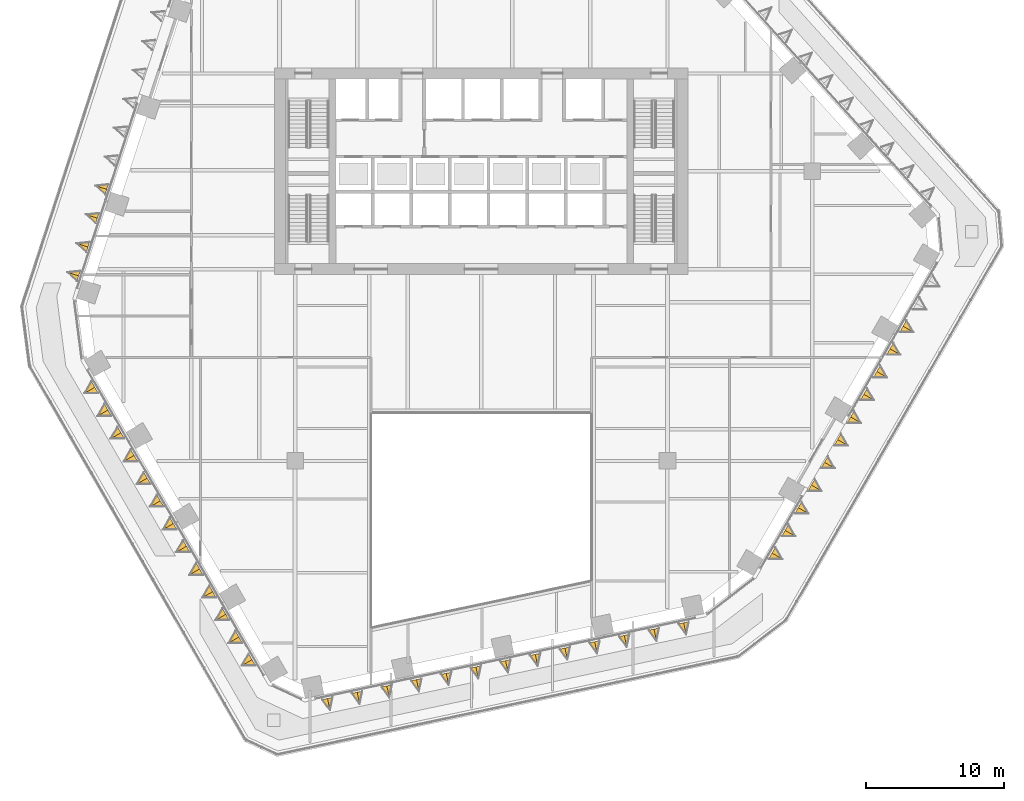
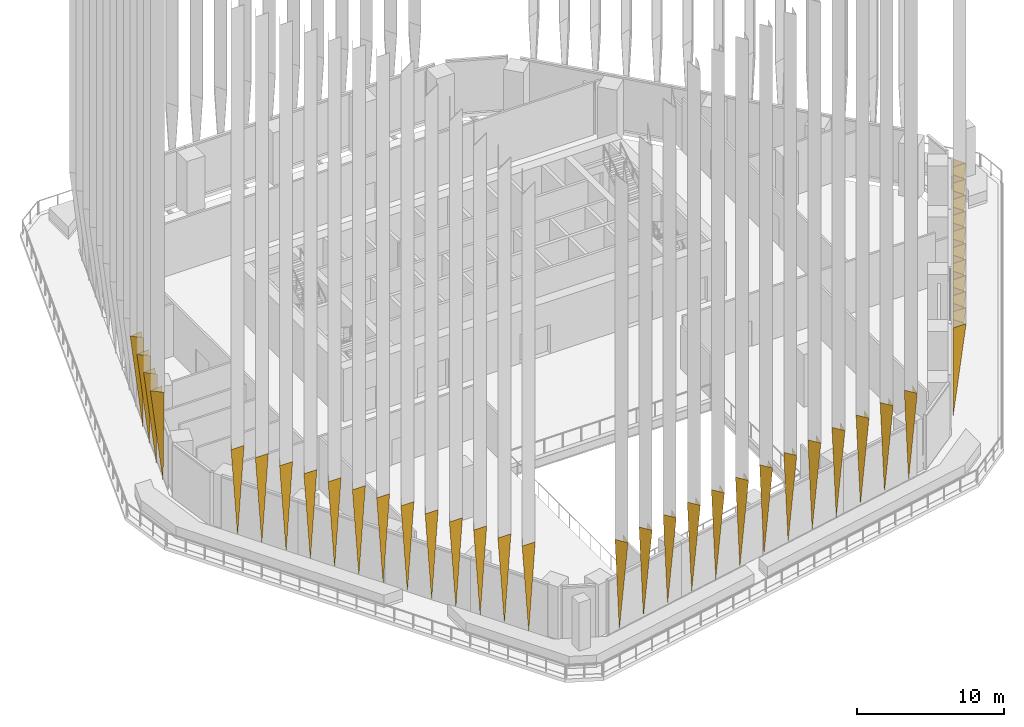
# One storey, part 24 of 27: 41 coverings.
"""IFC4 building model written with IfcOpenShell, lengths in metres."""

from ifc_helpers import new_model, si_unit, direction, frame, origin, place, context, subcontext, project, spatial, polyline, outline, faceted_brep, material, material_profile, profile_set, type_object, element, save


model = new_model("IFC4")

# Units and contexts
model_context = context("Model", 3, precision=1e-05, world=origin(), true_north=direction((0.0, 1.0)))
body_context = subcontext(model_context, "Body", "Model", "MODEL_VIEW")
ifc_project = project(units=[si_unit("LENGTHUNIT", "METRE"), si_unit("AREAUNIT", "SQUARE_METRE"), si_unit("VOLUMEUNIT", "CUBIC_METRE"), si_unit("PLANEANGLEUNIT", "RADIAN"), si_unit("MASSUNIT", "GRAM", prefix="KILO")], contexts=[model_context])

# Site, building, storey
site_placement = place(None, origin())
site = spatial("IfcSite", under=ifc_project, at=site_placement, CompositionType="ELEMENT")
building_placement = place(site_placement, origin())
building = spatial("IfcBuilding", under=site, at=building_placement, Name="Isthmus Gate Tower", CompositionType="ELEMENT")
storey_placement = place(building_placement, frame((0.0, 0.0, 121.64990234375)))
storey = spatial("IfcBuildingStorey", under=building, at=storey_placement, Name="L29", CompositionType="ELEMENT", Elevation=121.64990234375)

# Coverings
ifc_material_1 = material(Name="Structural steel ASTM A572 Gr 50, white paint system", Category="steel")
ifc_material_profile_1 = material_profile(ifc_material_1, outline(polyline([(0.0, -0.391845703125), (0.8798828125, 0.0), (0.0, 0.391845703125), (0.0, 0.35888671875), (0.80615234375, 0.0), (0.0, -0.35888671875), (0.0, -0.391845703125)])), Name="V880")
ifc_profile_set_1 = profile_set([ifc_material_profile_1], Name="Structural steel ASTM A572 Gr 50, white paint system")
covering_type_1 = type_object("IfcCoveringType", Name="FIN V 880 DEEP FOOT", PredefinedType="CLADDING", material=ifc_profile_set_1)
covering_1_placement = place(storey_placement, frame((0.0, 0.0, -121.64990234375)))
element("IfcCovering", 1, at=covering_1_placement, inside=storey, type_object=covering_type_1, Name="FIN", ObjectType="FIN", PredefinedType="CLADDING", context=body_context, shape_type="Brep", body=[
    faceted_brep([(-27.033935546875, 6.560546875, 129.39990234375), (-27.991943359375, 6.4599609375, 129.39990234375), (-27.276123046875, 5.8154296875, 129.39990234375), (-27.265869140625, 5.8466796875, 129.39990234375), (-27.921875, 6.43701171875, 129.39990234375), (-27.044189453125, 6.529296875, 129.39990234375), (-27.155029296875, 6.18798828125, 121.75)], [[[0, 1, 2, 3, 4, 5]], [[1, 0, 6]], [[2, 1, 6]], [[3, 2, 6]], [[4, 3, 6]], [[5, 4, 6]], [[0, 5, 6]]]),
])
covering_2_placement = place(storey_placement, frame((0.0, 0.0, -121.64990234375)))
element("IfcCovering", 2, at=covering_2_placement, inside=storey, type_object=covering_type_1, Name="FIN", ObjectType="FIN", PredefinedType="CLADDING", context=body_context, shape_type="Brep", body=[
    faceted_brep([(-27.713623046875, 4.46826171875, 129.39990234375), (-28.671630859375, 4.36767578125, 129.39990234375), (-27.955810546875, 3.72314453125, 129.39990234375), (-27.945556640625, 3.75439453125, 129.39990234375), (-28.6015625, 4.3447265625, 129.39990234375), (-27.723876953125, 4.43701171875, 129.39990234375), (-27.834716796875, 4.095703125, 121.75)], [[[0, 1, 2, 3, 4, 5]], [[1, 0, 6]], [[2, 1, 6]], [[3, 2, 6]], [[4, 3, 6]], [[5, 4, 6]], [[0, 5, 6]]]),
])
covering_3_placement = place(storey_placement, frame((0.0, 0.0, -121.64990234375)))
element("IfcCovering", 3, at=covering_3_placement, inside=storey, type_object=covering_type_1, Name="FIN", ObjectType="FIN", PredefinedType="CLADDING", context=body_context, shape_type="Brep", body=[
    faceted_brep([(-28.3935546875, 2.3759765625, 129.39990234375), (-29.3515625, 2.275390625, 129.39990234375), (-28.6357421875, 1.630859375, 129.39990234375), (-28.62548828125, 1.662109375, 129.39990234375), (-29.281494140625, 2.25244140625, 129.39990234375), (-28.40380859375, 2.3447265625, 129.39990234375), (-28.5146484375, 2.00341796875, 121.75)], [[[0, 1, 2, 3, 4, 5]], [[1, 0, 6]], [[2, 1, 6]], [[3, 2, 6]], [[4, 3, 6]], [[5, 4, 6]], [[0, 5, 6]]]),
])
covering_4_placement = place(storey_placement, frame((0.0, 0.0, -121.64990234375)))
element("IfcCovering", 4, at=covering_4_placement, inside=storey, type_object=covering_type_1, Name="FIN", ObjectType="FIN", PredefinedType="CLADDING", context=body_context, shape_type="Brep", body=[
    faceted_brep([(-29.073486328125, 0.28369140625, 129.39990234375), (-30.031494140625, 0.18310546875, 129.39990234375), (-29.315673828125, -0.46142578125, 129.39990234375), (-29.305419921875, -0.43017578125, 129.39990234375), (-29.96142578125, 0.16015625, 129.39990234375), (-29.083740234375, 0.25244140625, 129.39990234375), (-29.194580078125, -0.0888671875, 121.75)], [[[0, 1, 2, 3, 4, 5]], [[1, 0, 6]], [[2, 1, 6]], [[3, 2, 6]], [[4, 3, 6]], [[5, 4, 6]], [[0, 5, 6]]]),
])
covering_5_placement = place(storey_placement, frame((0.0, 0.0, -121.64990234375)))
element("IfcCovering", 5, at=covering_5_placement, inside=storey, type_object=covering_type_1, Name="FIN", ObjectType="FIN", PredefinedType="CLADDING", context=body_context, shape_type="Brep", body=[
    faceted_brep([(-11.531982421875, -30.80908203125, 129.39990234375), (-10.9658203125, -31.58837890625, 129.39990234375), (-10.765380859375, -30.64599609375, 129.39990234375), (-10.797607421875, -30.65283203125, 129.39990234375), (-10.98095703125, -31.51611328125, 129.39990234375), (-11.499755859375, -30.80224609375, 129.39990234375), (-11.148681640625, -30.7275390625, 121.75)], [[[0, 1, 2, 3, 4, 5]], [[1, 0, 6]], [[2, 1, 6]], [[3, 2, 6]], [[4, 3, 6]], [[5, 4, 6]], [[0, 5, 6]]]),
])
covering_6_placement = place(storey_placement, frame((0.0, 0.0, -121.64990234375)))
element("IfcCovering", 6, at=covering_6_placement, inside=storey, type_object=covering_type_1, Name="FIN", ObjectType="FIN", PredefinedType="CLADDING", context=body_context, shape_type="Brep", body=[
    faceted_brep([(-9.380126953125, -30.351806640625, 129.39990234375), (-8.81396484375, -31.131103515625, 129.39990234375), (-8.613525390625, -30.188720703125, 129.39990234375), (-8.645751953125, -30.195556640625, 129.39990234375), (-8.8291015625, -31.058837890625, 129.39990234375), (-9.347900390625, -30.344970703125, 129.39990234375), (-8.996826171875, -30.270263671875, 121.75)], [[[0, 1, 2, 3, 4, 5]], [[1, 0, 6]], [[2, 1, 6]], [[3, 2, 6]], [[4, 3, 6]], [[5, 4, 6]], [[0, 5, 6]]]),
])
covering_7_placement = place(storey_placement, frame((0.0, 0.0, -121.64990234375)))
element("IfcCovering", 7, at=covering_7_placement, inside=storey, type_object=covering_type_1, Name="FIN", ObjectType="FIN", PredefinedType="CLADDING", context=body_context, shape_type="Brep", body=[
    faceted_brep([(-7.228271484375, -29.894287109375, 129.39990234375), (-6.662109375, -30.673583984375, 129.39990234375), (-6.461669921875, -29.731201171875, 129.39990234375), (-6.493896484375, -29.738037109375, 129.39990234375), (-6.67724609375, -30.601318359375, 129.39990234375), (-7.196044921875, -29.887451171875, 129.39990234375), (-6.844970703125, -29.812744140625, 121.75)], [[[0, 1, 2, 3, 4, 5]], [[1, 0, 6]], [[2, 1, 6]], [[3, 2, 6]], [[4, 3, 6]], [[5, 4, 6]], [[0, 5, 6]]]),
])
covering_8_placement = place(storey_placement, frame((0.0, 0.0, -121.64990234375)))
element("IfcCovering", 8, at=covering_8_placement, inside=storey, type_object=covering_type_1, Name="FIN", ObjectType="FIN", PredefinedType="CLADDING", context=body_context, shape_type="Brep", body=[
    faceted_brep([(-5.076416015625, -29.43701171875, 129.39990234375), (-4.51025390625, -30.21630859375, 129.39990234375), (-4.309814453125, -29.27392578125, 129.39990234375), (-4.342041015625, -29.28076171875, 129.39990234375), (-4.525390625, -30.14404296875, 129.39990234375), (-5.044189453125, -29.43017578125, 129.39990234375), (-4.693115234375, -29.35546875, 121.75)], [[[0, 1, 2, 3, 4, 5]], [[1, 0, 6]], [[2, 1, 6]], [[3, 2, 6]], [[4, 3, 6]], [[5, 4, 6]], [[0, 5, 6]]]),
])
covering_9_placement = place(storey_placement, frame((0.0, 0.0, -121.64990234375)))
element("IfcCovering", 9, at=covering_9_placement, inside=storey, type_object=covering_type_1, Name="FIN", ObjectType="FIN", PredefinedType="CLADDING", context=body_context, shape_type="Brep", body=[
    faceted_brep([(-2.92431640625, -28.9794921875, 129.39990234375), (-2.358154296875, -29.7587890625, 129.39990234375), (-2.15771484375, -28.81640625, 129.39990234375), (-2.18994140625, -28.8232421875, 129.39990234375), (-2.373291015625, -29.6865234375, 129.39990234375), (-2.89208984375, -28.97265625, 129.39990234375), (-2.541015625, -28.89794921875, 121.75)], [[[0, 1, 2, 3, 4, 5]], [[1, 0, 6]], [[2, 1, 6]], [[3, 2, 6]], [[4, 3, 6]], [[5, 4, 6]], [[0, 5, 6]]]),
])
covering_10_placement = place(storey_placement, frame((0.0, 0.0, -121.64990234375)))
element("IfcCovering", 10, at=covering_10_placement, inside=storey, type_object=covering_type_1, Name="FIN", ObjectType="FIN", PredefinedType="CLADDING", context=body_context, shape_type="Brep", body=[
    faceted_brep([(-0.7724609375, -28.52197265625, 129.39990234375), (-0.206298828125, -29.30126953125, 129.39990234375), (-0.005859375, -28.35888671875, 129.39990234375), (-0.0380859375, -28.36572265625, 129.39990234375), (-0.221435546875, -29.22900390625, 129.39990234375), (-0.740234375, -28.51513671875, 129.39990234375), (-0.38916015625, -28.4404296875, 121.75)], [[[0, 1, 2, 3, 4, 5]], [[1, 0, 6]], [[2, 1, 6]], [[3, 2, 6]], [[4, 3, 6]], [[5, 4, 6]], [[0, 5, 6]]]),
])
covering_11_placement = place(storey_placement, frame((0.0, 0.0, -121.64990234375)))
element("IfcCovering", 11, at=covering_11_placement, inside=storey, type_object=covering_type_1, Name="FIN", ObjectType="FIN", PredefinedType="CLADDING", context=body_context, shape_type="Brep", body=[
    faceted_brep([(1.37939453125, -28.064697265625, 129.39990234375), (1.945556640625, -28.843994140625, 129.39990234375), (2.14599609375, -27.901611328125, 129.39990234375), (2.11376953125, -27.908447265625, 129.39990234375), (1.930419921875, -28.771728515625, 129.39990234375), (1.41162109375, -28.057861328125, 129.39990234375), (1.7626953125, -27.983154296875, 121.75)], [[[0, 1, 2, 3, 4, 5]], [[1, 0, 6]], [[2, 1, 6]], [[3, 2, 6]], [[4, 3, 6]], [[5, 4, 6]], [[0, 5, 6]]]),
])
covering_12_placement = place(storey_placement, frame((0.0, 0.0, -121.64990234375)))
element("IfcCovering", 12, at=covering_12_placement, inside=storey, type_object=covering_type_1, Name="FIN", ObjectType="FIN", PredefinedType="CLADDING", context=body_context, shape_type="Brep", body=[
    faceted_brep([(3.531494140625, -27.607177734375, 129.39990234375), (4.09765625, -28.386474609375, 129.39990234375), (4.298095703125, -27.444091796875, 129.39990234375), (4.265869140625, -27.450927734375, 129.39990234375), (4.08251953125, -28.314208984375, 129.39990234375), (3.563720703125, -27.600341796875, 129.39990234375), (3.914794921875, -27.525634765625, 121.75)], [[[0, 1, 2, 3, 4, 5]], [[1, 0, 6]], [[2, 1, 6]], [[3, 2, 6]], [[4, 3, 6]], [[5, 4, 6]], [[0, 5, 6]]]),
])
covering_13_placement = place(storey_placement, frame((0.0, 0.0, -121.64990234375)))
element("IfcCovering", 13, at=covering_13_placement, inside=storey, type_object=covering_type_1, Name="FIN", ObjectType="FIN", PredefinedType="CLADDING", context=body_context, shape_type="Brep", body=[
    faceted_brep([(5.683349609375, -27.14990234375, 129.39990234375), (6.24951171875, -27.92919921875, 129.39990234375), (6.449951171875, -26.98681640625, 129.39990234375), (6.417724609375, -26.99365234375, 129.39990234375), (6.234375, -27.85693359375, 129.39990234375), (5.715576171875, -27.14306640625, 129.39990234375), (6.066650390625, -27.068359375, 121.75)], [[[0, 1, 2, 3, 4, 5]], [[1, 0, 6]], [[2, 1, 6]], [[3, 2, 6]], [[4, 3, 6]], [[5, 4, 6]], [[0, 5, 6]]]),
])
covering_14_placement = place(storey_placement, frame((0.0, 0.0, -121.64990234375)))
element("IfcCovering", 14, at=covering_14_placement, inside=storey, type_object=covering_type_1, Name="FIN", ObjectType="FIN", PredefinedType="CLADDING", context=body_context, shape_type="Brep", body=[
    faceted_brep([(7.835205078125, -26.6923828125, 129.39990234375), (8.4013671875, -27.4716796875, 129.39990234375), (8.601806640625, -26.529296875, 129.39990234375), (8.569580078125, -26.5361328125, 129.39990234375), (8.38623046875, -27.3994140625, 129.39990234375), (7.867431640625, -26.685546875, 129.39990234375), (8.218505859375, -26.61083984375, 121.75)], [[[0, 1, 2, 3, 4, 5]], [[1, 0, 6]], [[2, 1, 6]], [[3, 2, 6]], [[4, 3, 6]], [[5, 4, 6]], [[0, 5, 6]]]),
])
covering_15_placement = place(storey_placement, frame((0.0, 0.0, -121.64990234375)))
element("IfcCovering", 15, at=covering_15_placement, inside=storey, type_object=covering_type_1, Name="FIN", ObjectType="FIN", PredefinedType="CLADDING", context=body_context, shape_type="Brep", body=[
    faceted_brep([(9.987060546875, -26.235107421875, 129.39990234375), (10.55322265625, -27.014404296875, 129.39990234375), (10.753662109375, -26.072021484375, 129.39990234375), (10.721435546875, -26.078857421875, 129.39990234375), (10.5380859375, -26.942138671875, 129.39990234375), (10.019287109375, -26.228271484375, 129.39990234375), (10.370361328125, -26.153564453125, 121.75)], [[[0, 1, 2, 3, 4, 5]], [[1, 0, 6]], [[2, 1, 6]], [[3, 2, 6]], [[4, 3, 6]], [[5, 4, 6]], [[0, 5, 6]]]),
])
covering_16_placement = place(storey_placement, frame((0.0, 0.0, -121.64990234375)))
element("IfcCovering", 16, at=covering_16_placement, inside=storey, type_object=covering_type_1, Name="FIN", ObjectType="FIN", PredefinedType="CLADDING", context=body_context, shape_type="Brep", body=[
    faceted_brep([(12.13916015625, -25.777587890625, 129.39990234375), (12.705322265625, -26.556884765625, 129.39990234375), (12.90576171875, -25.614501953125, 129.39990234375), (12.87353515625, -25.621337890625, 129.39990234375), (12.690185546875, -26.484619140625, 129.39990234375), (12.17138671875, -25.770751953125, 129.39990234375), (12.5224609375, -25.696044921875, 121.75)], [[[0, 1, 2, 3, 4, 5]], [[1, 0, 6]], [[2, 1, 6]], [[3, 2, 6]], [[4, 3, 6]], [[5, 4, 6]], [[0, 5, 6]]]),
])
covering_17_placement = place(storey_placement, frame((0.0, 0.0, -121.64990234375)))
element("IfcCovering", 17, at=covering_17_placement, inside=storey, type_object=covering_type_1, Name="FIN", ObjectType="FIN", PredefinedType="CLADDING", context=body_context, shape_type="Brep", body=[
    faceted_brep([(14.291015625, -25.3203125, 129.39990234375), (14.857177734375, -26.099609375, 129.39990234375), (15.0576171875, -25.1572265625, 129.39990234375), (15.025390625, -25.1640625, 129.39990234375), (14.842041015625, -26.02734375, 129.39990234375), (14.3232421875, -25.3134765625, 129.39990234375), (14.67431640625, -25.23876953125, 121.75)], [[[0, 1, 2, 3, 4, 5]], [[1, 0, 6]], [[2, 1, 6]], [[3, 2, 6]], [[4, 3, 6]], [[5, 4, 6]], [[0, 5, 6]]]),
])
ifc_material_2 = material(Name="Structural steel ASTM A572 Gr 50, white paint system", Category="steel")
ifc_material_profile_2 = material_profile(ifc_material_2, outline(polyline([(0.0, -0.508056640625), (0.8798828125, 0.0), (0.0, 0.508056640625), (0.0, 0.473388671875), (0.820068359375, 0.0), (0.0, -0.473388671875), (0.0, -0.508056640625)])), Name="V880W")
ifc_profile_set_2 = profile_set([ifc_material_profile_2], Name="Structural steel ASTM A572 Gr 50, white paint system")
covering_type_2 = type_object("IfcCoveringType", Name="FIN V 880 DEEP WIDE FOOT", PredefinedType="CLADDING", material=ifc_profile_set_2)
covering_18_placement = place(storey_placement, frame((0.0, 0.0, -121.64990234375)))
element("IfcCovering", 18, at=covering_18_placement, inside=storey, type_object=covering_type_2, Name="FIN", ObjectType="FIN", PredefinedType="CLADDING", context=body_context, shape_type="Brep", body=[
    faceted_brep([(-28.275146484375, -7.726318359375, 129.39990234375), (-28.783203125, -8.606201171875, 129.39990234375), (-27.766845703125, -8.606201171875, 129.39990234375), (-27.7841796875, -8.576171875, 129.39990234375), (-28.731201171875, -8.576171875, 129.39990234375), (-28.2578125, -7.75634765625, 129.39990234375), (-28.02099609375, -8.166259765625, 121.75)], [[[0, 1, 2, 3, 4, 5]], [[1, 0, 6]], [[2, 1, 6]], [[3, 2, 6]], [[4, 3, 6]], [[5, 4, 6]], [[0, 5, 6]]]),
])
covering_19_placement = place(storey_placement, frame((0.0, 0.0, -121.64990234375)))
element("IfcCovering", 19, at=covering_19_placement, inside=storey, type_object=covering_type_2, Name="FIN", ObjectType="FIN", PredefinedType="CLADDING", context=body_context, shape_type="Brep", body=[
    faceted_brep([(-27.3251953125, -9.371826171875, 129.39990234375), (-27.833251953125, -10.251708984375, 129.39990234375), (-26.81689453125, -10.251708984375, 129.39990234375), (-26.834228515625, -10.2216796875, 129.39990234375), (-27.78125, -10.2216796875, 129.39990234375), (-27.307861328125, -9.40185546875, 129.39990234375), (-27.071044921875, -9.811767578125, 121.75)], [[[0, 1, 2, 3, 4, 5]], [[1, 0, 6]], [[2, 1, 6]], [[3, 2, 6]], [[4, 3, 6]], [[5, 4, 6]], [[0, 5, 6]]]),
])
covering_20_placement = place(storey_placement, frame((0.0, 0.0, -121.64990234375)))
element("IfcCovering", 20, at=covering_20_placement, inside=storey, type_object=covering_type_2, Name="FIN", ObjectType="FIN", PredefinedType="CLADDING", context=body_context, shape_type="Brep", body=[
    faceted_brep([(-26.375, -11.017333984375, 129.39990234375), (-26.883056640625, -11.897216796875, 129.39990234375), (-25.86669921875, -11.897216796875, 129.39990234375), (-25.884033203125, -11.8671875, 129.39990234375), (-26.8310546875, -11.8671875, 129.39990234375), (-26.357666015625, -11.04736328125, 129.39990234375), (-26.120849609375, -11.457275390625, 121.75)], [[[0, 1, 2, 3, 4, 5]], [[1, 0, 6]], [[2, 1, 6]], [[3, 2, 6]], [[4, 3, 6]], [[5, 4, 6]], [[0, 5, 6]]]),
])
covering_21_placement = place(storey_placement, frame((0.0, 0.0, -121.64990234375)))
element("IfcCovering", 21, at=covering_21_placement, inside=storey, type_object=covering_type_2, Name="FIN", ObjectType="FIN", PredefinedType="CLADDING", context=body_context, shape_type="Brep", body=[
    faceted_brep([(-25.425048828125, -12.66259765625, 129.39990234375), (-25.93310546875, -13.54248046875, 129.39990234375), (-24.916748046875, -13.54248046875, 129.39990234375), (-24.93408203125, -13.512451171875, 129.39990234375), (-25.881103515625, -13.512451171875, 129.39990234375), (-25.40771484375, -12.692626953125, 129.39990234375), (-25.1708984375, -13.1025390625, 121.75)], [[[0, 1, 2, 3, 4, 5]], [[1, 0, 6]], [[2, 1, 6]], [[3, 2, 6]], [[4, 3, 6]], [[5, 4, 6]], [[0, 5, 6]]]),
])
covering_22_placement = place(storey_placement, frame((0.0, 0.0, -121.64990234375)))
element("IfcCovering", 22, at=covering_22_placement, inside=storey, type_object=covering_type_2, Name="FIN", ObjectType="FIN", PredefinedType="CLADDING", context=body_context, shape_type="Brep", body=[
    faceted_brep([(-24.47509765625, -14.30810546875, 129.39990234375), (-24.983154296875, -15.18798828125, 129.39990234375), (-23.966796875, -15.18798828125, 129.39990234375), (-23.984130859375, -15.157958984375, 129.39990234375), (-24.93115234375, -15.157958984375, 129.39990234375), (-24.457763671875, -14.338134765625, 129.39990234375), (-24.220947265625, -14.748046875, 121.75)], [[[0, 1, 2, 3, 4, 5]], [[1, 0, 6]], [[2, 1, 6]], [[3, 2, 6]], [[4, 3, 6]], [[5, 4, 6]], [[0, 5, 6]]]),
])
covering_23_placement = place(storey_placement, frame((0.0, 0.0, -121.64990234375)))
element("IfcCovering", 23, at=covering_23_placement, inside=storey, type_object=covering_type_2, Name="FIN", ObjectType="FIN", PredefinedType="CLADDING", context=body_context, shape_type="Brep", body=[
    faceted_brep([(-23.525146484375, -15.95361328125, 129.39990234375), (-24.033203125, -16.83349609375, 129.39990234375), (-23.016845703125, -16.83349609375, 129.39990234375), (-23.0341796875, -16.803466796875, 129.39990234375), (-23.981201171875, -16.803466796875, 129.39990234375), (-23.5078125, -15.983642578125, 129.39990234375), (-23.27099609375, -16.3935546875, 121.75)], [[[0, 1, 2, 3, 4, 5]], [[1, 0, 6]], [[2, 1, 6]], [[3, 2, 6]], [[4, 3, 6]], [[5, 4, 6]], [[0, 5, 6]]]),
])
covering_24_placement = place(storey_placement, frame((0.0, 0.0, -121.64990234375)))
element("IfcCovering", 24, at=covering_24_placement, inside=storey, type_object=covering_type_2, Name="FIN", ObjectType="FIN", PredefinedType="CLADDING", context=body_context, shape_type="Brep", body=[
    faceted_brep([(-22.5751953125, -17.59912109375, 129.39990234375), (-23.083251953125, -18.47900390625, 129.39990234375), (-22.06689453125, -18.47900390625, 129.39990234375), (-22.084228515625, -18.448974609375, 129.39990234375), (-23.03125, -18.448974609375, 129.39990234375), (-22.557861328125, -17.629150390625, 129.39990234375), (-22.321044921875, -18.0390625, 121.75)], [[[0, 1, 2, 3, 4, 5]], [[1, 0, 6]], [[2, 1, 6]], [[3, 2, 6]], [[4, 3, 6]], [[5, 4, 6]], [[0, 5, 6]]]),
])
covering_25_placement = place(storey_placement, frame((0.0, 0.0, -121.64990234375)))
element("IfcCovering", 25, at=covering_25_placement, inside=storey, type_object=covering_type_2, Name="FIN", ObjectType="FIN", PredefinedType="CLADDING", context=body_context, shape_type="Brep", body=[
    faceted_brep([(-21.625, -19.244384765625, 129.39990234375), (-22.133056640625, -20.124267578125, 129.39990234375), (-21.11669921875, -20.124267578125, 129.39990234375), (-21.134033203125, -20.09423828125, 129.39990234375), (-22.0810546875, -20.09423828125, 129.39990234375), (-21.607666015625, -19.2744140625, 129.39990234375), (-21.370849609375, -19.684326171875, 121.75)], [[[0, 1, 2, 3, 4, 5]], [[1, 0, 6]], [[2, 1, 6]], [[3, 2, 6]], [[4, 3, 6]], [[5, 4, 6]], [[0, 5, 6]]]),
])
covering_26_placement = place(storey_placement, frame((0.0, 0.0, -121.64990234375)))
element("IfcCovering", 26, at=covering_26_placement, inside=storey, type_object=covering_type_2, Name="FIN", ObjectType="FIN", PredefinedType="CLADDING", context=body_context, shape_type="Brep", body=[
    faceted_brep([(-20.675048828125, -20.889892578125, 129.39990234375), (-21.18310546875, -21.769775390625, 129.39990234375), (-20.166748046875, -21.769775390625, 129.39990234375), (-20.18408203125, -21.73974609375, 129.39990234375), (-21.131103515625, -21.73974609375, 129.39990234375), (-20.65771484375, -20.919921875, 129.39990234375), (-20.4208984375, -21.329833984375, 121.75)], [[[0, 1, 2, 3, 4, 5]], [[1, 0, 6]], [[2, 1, 6]], [[3, 2, 6]], [[4, 3, 6]], [[5, 4, 6]], [[0, 5, 6]]]),
])
covering_27_placement = place(storey_placement, frame((0.0, 0.0, -121.64990234375)))
element("IfcCovering", 27, at=covering_27_placement, inside=storey, type_object=covering_type_2, Name="FIN", ObjectType="FIN", PredefinedType="CLADDING", context=body_context, shape_type="Brep", body=[
    faceted_brep([(-19.72509765625, -22.535400390625, 129.39990234375), (-20.233154296875, -23.415283203125, 129.39990234375), (-19.216796875, -23.415283203125, 129.39990234375), (-19.234130859375, -23.38525390625, 129.39990234375), (-20.18115234375, -23.38525390625, 129.39990234375), (-19.707763671875, -22.5654296875, 129.39990234375), (-19.470947265625, -22.975341796875, 121.75)], [[[0, 1, 2, 3, 4, 5]], [[1, 0, 6]], [[2, 1, 6]], [[3, 2, 6]], [[4, 3, 6]], [[5, 4, 6]], [[0, 5, 6]]]),
])
covering_28_placement = place(storey_placement, frame((0.0, 0.0, -121.64990234375)))
element("IfcCovering", 28, at=covering_28_placement, inside=storey, type_object=covering_type_2, Name="FIN", ObjectType="FIN", PredefinedType="CLADDING", context=body_context, shape_type="Brep", body=[
    faceted_brep([(-18.775146484375, -24.180908203125, 129.39990234375), (-19.283203125, -25.060791015625, 129.39990234375), (-18.266845703125, -25.060791015625, 129.39990234375), (-18.2841796875, -25.03076171875, 129.39990234375), (-19.231201171875, -25.03076171875, 129.39990234375), (-18.7578125, -24.2109375, 129.39990234375), (-18.52099609375, -24.620849609375, 121.75)], [[[0, 1, 2, 3, 4, 5]], [[1, 0, 6]], [[2, 1, 6]], [[3, 2, 6]], [[4, 3, 6]], [[5, 4, 6]], [[0, 5, 6]]]),
])
covering_29_placement = place(storey_placement, frame((0.0, 0.0, -121.64990234375)))
element("IfcCovering", 29, at=covering_29_placement, inside=storey, type_object=covering_type_2, Name="FIN", ObjectType="FIN", PredefinedType="CLADDING", context=body_context, shape_type="Brep", body=[
    faceted_brep([(-17.8251953125, -25.826171875, 129.39990234375), (-18.333251953125, -26.7060546875, 129.39990234375), (-17.31689453125, -26.7060546875, 129.39990234375), (-17.334228515625, -26.676025390625, 129.39990234375), (-18.28125, -26.676025390625, 129.39990234375), (-17.807861328125, -25.856201171875, 129.39990234375), (-17.571044921875, -26.26611328125, 121.75)], [[[0, 1, 2, 3, 4, 5]], [[1, 0, 6]], [[2, 1, 6]], [[3, 2, 6]], [[4, 3, 6]], [[5, 4, 6]], [[0, 5, 6]]]),
])
covering_30_placement = place(storey_placement, frame((0.0, 0.0, -121.64990234375)))
element("IfcCovering", 30, at=covering_30_placement, inside=storey, type_object=covering_type_2, Name="FIN", ObjectType="FIN", PredefinedType="CLADDING", context=body_context, shape_type="Brep", body=[
    faceted_brep([(-16.875, -27.4716796875, 129.39990234375), (-17.383056640625, -28.3515625, 129.39990234375), (-16.36669921875, -28.3515625, 129.39990234375), (-16.384033203125, -28.321533203125, 129.39990234375), (-17.3310546875, -28.321533203125, 129.39990234375), (-16.857666015625, -27.501708984375, 129.39990234375), (-16.620849609375, -27.91162109375, 121.75)], [[[0, 1, 2, 3, 4, 5]], [[1, 0, 6]], [[2, 1, 6]], [[3, 2, 6]], [[4, 3, 6]], [[5, 4, 6]], [[0, 5, 6]]]),
])
covering_31_placement = place(storey_placement, frame((0.0, 0.0, -121.64990234375)))
element("IfcCovering", 31, at=covering_31_placement, inside=storey, type_object=covering_type_2, Name="FIN", ObjectType="FIN", PredefinedType="CLADDING", context=body_context, shape_type="Brep", body=[
    faceted_brep([(20.82861328125, -20.623779296875, 129.39990234375), (21.844970703125, -20.623779296875, 129.39990234375), (21.3369140625, -19.743896484375, 129.39990234375), (21.319580078125, -19.77392578125, 129.39990234375), (21.79296875, -20.59375, 129.39990234375), (20.845947265625, -20.59375, 129.39990234375), (21.082763671875, -20.183837890625, 121.75)], [[[0, 1, 2, 3, 4, 5]], [[1, 0, 6]], [[2, 1, 6]], [[3, 2, 6]], [[4, 3, 6]], [[5, 4, 6]], [[0, 5, 6]]]),
])
covering_32_placement = place(storey_placement, frame((0.0, 0.0, -121.64990234375)))
element("IfcCovering", 32, at=covering_32_placement, inside=storey, type_object=covering_type_2, Name="FIN", ObjectType="FIN", PredefinedType="CLADDING", context=body_context, shape_type="Brep", body=[
    faceted_brep([(21.778564453125, -18.978271484375, 129.39990234375), (22.794921875, -18.978271484375, 129.39990234375), (22.286865234375, -18.098388671875, 129.39990234375), (22.26953125, -18.12841796875, 129.39990234375), (22.742919921875, -18.9482421875, 129.39990234375), (21.7958984375, -18.9482421875, 129.39990234375), (22.03271484375, -18.538330078125, 121.75)], [[[0, 1, 2, 3, 4, 5]], [[1, 0, 6]], [[2, 1, 6]], [[3, 2, 6]], [[4, 3, 6]], [[5, 4, 6]], [[0, 5, 6]]]),
])
covering_33_placement = place(storey_placement, frame((0.0, 0.0, -121.64990234375)))
element("IfcCovering", 33, at=covering_33_placement, inside=storey, type_object=covering_type_2, Name="FIN", ObjectType="FIN", PredefinedType="CLADDING", context=body_context, shape_type="Brep", body=[
    faceted_brep([(22.728515625, -17.332763671875, 129.39990234375), (23.744873046875, -17.332763671875, 129.39990234375), (23.23681640625, -16.452880859375, 129.39990234375), (23.219482421875, -16.48291015625, 129.39990234375), (23.69287109375, -17.302734375, 129.39990234375), (22.745849609375, -17.302734375, 129.39990234375), (22.982666015625, -16.892822265625, 121.75)], [[[0, 1, 2, 3, 4, 5]], [[1, 0, 6]], [[2, 1, 6]], [[3, 2, 6]], [[4, 3, 6]], [[5, 4, 6]], [[0, 5, 6]]]),
])
covering_34_placement = place(storey_placement, frame((0.0, 0.0, -121.64990234375)))
element("IfcCovering", 34, at=covering_34_placement, inside=storey, type_object=covering_type_2, Name="FIN", ObjectType="FIN", PredefinedType="CLADDING", context=body_context, shape_type="Brep", body=[
    faceted_brep([(23.678466796875, -15.687255859375, 129.39990234375), (24.69482421875, -15.687255859375, 129.39990234375), (24.186767578125, -14.807373046875, 129.39990234375), (24.16943359375, -14.83740234375, 129.39990234375), (24.642822265625, -15.6572265625, 129.39990234375), (23.69580078125, -15.6572265625, 129.39990234375), (23.9326171875, -15.247314453125, 121.75)], [[[0, 1, 2, 3, 4, 5]], [[1, 0, 6]], [[2, 1, 6]], [[3, 2, 6]], [[4, 3, 6]], [[5, 4, 6]], [[0, 5, 6]]]),
])
covering_35_placement = place(storey_placement, frame((0.0, 0.0, -121.64990234375)))
element("IfcCovering", 35, at=covering_35_placement, inside=storey, type_object=covering_type_2, Name="FIN", ObjectType="FIN", PredefinedType="CLADDING", context=body_context, shape_type="Brep", body=[
    faceted_brep([(24.62841796875, -14.0419921875, 129.39990234375), (25.644775390625, -14.0419921875, 129.39990234375), (25.13671875, -13.162109375, 129.39990234375), (25.119384765625, -13.192138671875, 129.39990234375), (25.5927734375, -14.011962890625, 129.39990234375), (24.645751953125, -14.011962890625, 129.39990234375), (24.882568359375, -13.60205078125, 121.75)], [[[0, 1, 2, 3, 4, 5]], [[1, 0, 6]], [[2, 1, 6]], [[3, 2, 6]], [[4, 3, 6]], [[5, 4, 6]], [[0, 5, 6]]]),
])
covering_36_placement = place(storey_placement, frame((0.0, 0.0, -121.64990234375)))
element("IfcCovering", 36, at=covering_36_placement, inside=storey, type_object=covering_type_2, Name="FIN", ObjectType="FIN", PredefinedType="CLADDING", context=body_context, shape_type="Brep", body=[
    faceted_brep([(25.57861328125, -12.396484375, 129.39990234375), (26.594970703125, -12.396484375, 129.39990234375), (26.0869140625, -11.5166015625, 129.39990234375), (26.069580078125, -11.546630859375, 129.39990234375), (26.54296875, -12.366455078125, 129.39990234375), (25.595947265625, -12.366455078125, 129.39990234375), (25.832763671875, -11.95654296875, 121.75)], [[[0, 1, 2, 3, 4, 5]], [[1, 0, 6]], [[2, 1, 6]], [[3, 2, 6]], [[4, 3, 6]], [[5, 4, 6]], [[0, 5, 6]]]),
])
covering_37_placement = place(storey_placement, frame((0.0, 0.0, -121.64990234375)))
element("IfcCovering", 37, at=covering_37_placement, inside=storey, type_object=covering_type_2, Name="FIN", ObjectType="FIN", PredefinedType="CLADDING", context=body_context, shape_type="Brep", body=[
    faceted_brep([(26.528564453125, -10.7509765625, 129.39990234375), (27.544921875, -10.7509765625, 129.39990234375), (27.036865234375, -9.87109375, 129.39990234375), (27.01953125, -9.901123046875, 129.39990234375), (27.492919921875, -10.720947265625, 129.39990234375), (26.5458984375, -10.720947265625, 129.39990234375), (26.78271484375, -10.31103515625, 121.75)], [[[0, 1, 2, 3, 4, 5]], [[1, 0, 6]], [[2, 1, 6]], [[3, 2, 6]], [[4, 3, 6]], [[5, 4, 6]], [[0, 5, 6]]]),
])
covering_38_placement = place(storey_placement, frame((0.0, 0.0, -121.64990234375)))
element("IfcCovering", 38, at=covering_38_placement, inside=storey, type_object=covering_type_2, Name="FIN", ObjectType="FIN", PredefinedType="CLADDING", context=body_context, shape_type="Brep", body=[
    faceted_brep([(27.478515625, -9.10546875, 129.39990234375), (28.494873046875, -9.10546875, 129.39990234375), (27.98681640625, -8.2255859375, 129.39990234375), (27.969482421875, -8.255615234375, 129.39990234375), (28.44287109375, -9.075439453125, 129.39990234375), (27.495849609375, -9.075439453125, 129.39990234375), (27.732666015625, -8.66552734375, 121.75)], [[[0, 1, 2, 3, 4, 5]], [[1, 0, 6]], [[2, 1, 6]], [[3, 2, 6]], [[4, 3, 6]], [[5, 4, 6]], [[0, 5, 6]]]),
])
covering_39_placement = place(storey_placement, frame((0.0, 0.0, -121.64990234375)))
element("IfcCovering", 39, at=covering_39_placement, inside=storey, type_object=covering_type_2, Name="FIN", ObjectType="FIN", PredefinedType="CLADDING", context=body_context, shape_type="Brep", body=[
    faceted_brep([(28.428466796875, -7.460205078125, 129.39990234375), (29.44482421875, -7.460205078125, 129.39990234375), (28.936767578125, -6.580322265625, 129.39990234375), (28.91943359375, -6.6103515625, 129.39990234375), (29.392822265625, -7.43017578125, 129.39990234375), (28.44580078125, -7.43017578125, 129.39990234375), (28.6826171875, -7.020263671875, 121.75)], [[[0, 1, 2, 3, 4, 5]], [[1, 0, 6]], [[2, 1, 6]], [[3, 2, 6]], [[4, 3, 6]], [[5, 4, 6]], [[0, 5, 6]]]),
])
covering_40_placement = place(storey_placement, frame((0.0, 0.0, -121.64990234375)))
element("IfcCovering", 40, at=covering_40_placement, inside=storey, type_object=covering_type_2, Name="FIN", ObjectType="FIN", PredefinedType="CLADDING", context=body_context, shape_type="Brep", body=[
    faceted_brep([(29.37841796875, -5.814697265625, 129.39990234375), (30.394775390625, -5.814697265625, 129.39990234375), (29.88671875, -4.934814453125, 129.39990234375), (29.869384765625, -4.96484375, 129.39990234375), (30.3427734375, -5.78466796875, 129.39990234375), (29.395751953125, -5.78466796875, 129.39990234375), (29.632568359375, -5.374755859375, 121.75)], [[[0, 1, 2, 3, 4, 5]], [[1, 0, 6]], [[2, 1, 6]], [[3, 2, 6]], [[4, 3, 6]], [[5, 4, 6]], [[0, 5, 6]]]),
])
covering_41_placement = place(storey_placement, frame((0.0, 0.0, -121.64990234375)))
element("IfcCovering", 41, at=covering_41_placement, inside=storey, type_object=covering_type_2, Name="FIN", ObjectType="FIN", PredefinedType="CLADDING", context=body_context, shape_type="Brep", body=[
    faceted_brep([(30.32861328125, -4.169189453125, 129.39990234375), (31.344970703125, -4.169189453125, 129.39990234375), (30.8369140625, -3.289306640625, 129.39990234375), (30.819580078125, -3.3193359375, 129.39990234375), (31.29296875, -4.13916015625, 129.39990234375), (30.345947265625, -4.13916015625, 129.39990234375), (30.582763671875, -3.729248046875, 121.75)], [[[0, 1, 2, 3, 4, 5]], [[1, 0, 6]], [[2, 1, 6]], [[3, 2, 6]], [[4, 3, 6]], [[5, 4, 6]], [[0, 5, 6]]]),
])

save(model, "model.ifc")
